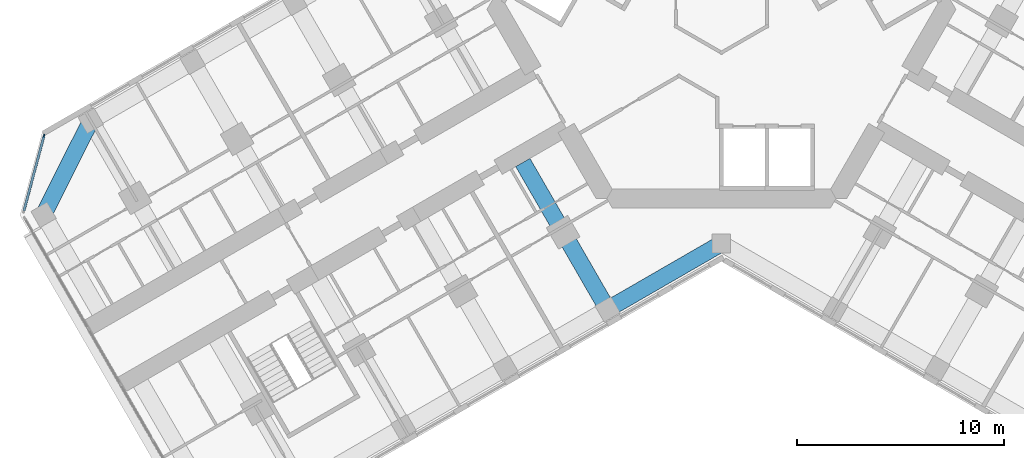
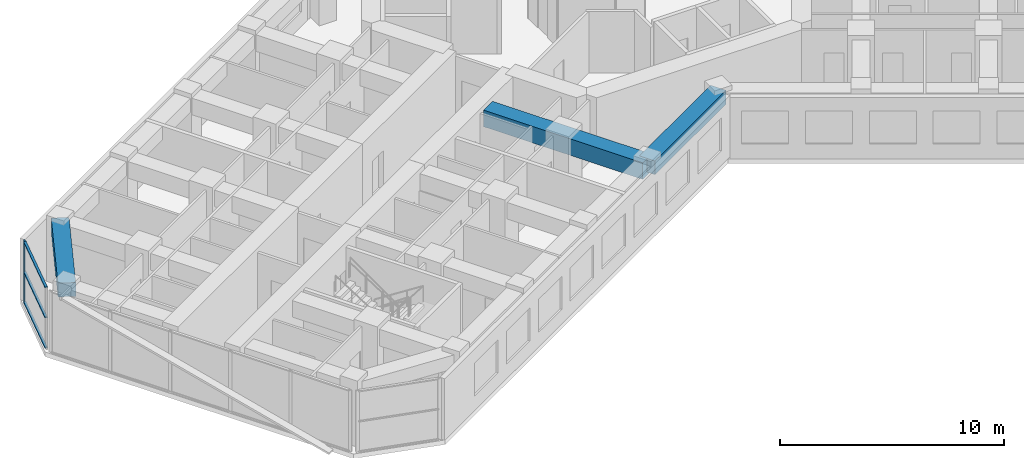
# One storey, part 3 of 20: 4 members, 3 beams, 1 element without a shape of its own.
"""IFC4 building model written with IfcOpenShell, lengths in metres."""

from ifc_helpers import new_model, si_unit, direction, frame, origin, origin_2d, place, context, subcontext, project, spatial, rectangle, extrude, material, material_profile, profile_set, type_object, element, aggregate, save


model = new_model("IFC4")

# Units and contexts
model_context = context("Model", 3, precision=1e-05, world=origin(), true_north=direction((0.0, 1.0)))
body_context = subcontext(model_context, "Body", "Model", "MODEL_VIEW")
ifc_project = project(units=[si_unit("LENGTHUNIT", "METRE"), si_unit("AREAUNIT", "SQUARE_METRE"), si_unit("VOLUMEUNIT", "CUBIC_METRE"), si_unit("PLANEANGLEUNIT", "RADIAN"), si_unit("MASSUNIT", "GRAM", prefix="KILO")], contexts=[model_context])

# Site, building, storey
site_placement = place(None, origin())
site = spatial("IfcSite", under=ifc_project, at=site_placement, CompositionType="ELEMENT")
building_placement = place(site_placement, origin())
building = spatial("IfcBuilding", under=site, at=building_placement, Name="Kosmar Iwan School Tower", CompositionType="ELEMENT")
storey_placement = place(building_placement, frame((0.0, 0.0, 179.60009765625)))
storey = spatial("IfcBuildingStorey", under=building, at=storey_placement, Name="L45", CompositionType="ELEMENT", Elevation=179.60009765625)

# Curtain wall, member
ifc_material_1 = material(Name="Dark glass in black aluminium frame", Category="aluminium")
curtain_wall_type = type_object("IfcCurtainWallType", Name="Chamfer curtain wall dark glass", PredefinedType="USERDEFINED", material=ifc_material_1)
curtain_wall_placement = place(storey_placement, origin())
curtain_wall = element("IfcCurtainWall", 1, at=curtain_wall_placement, inside=storey, type_object=curtain_wall_type, Name="Curtain wall L45-F12", ObjectType="FACETED CURTAIN WALL", PredefinedType="USERDEFINED")
ifc_material_2 = material(Name="Black anodised aluminium", Category="aluminium")
ifc_material_profile_1 = material_profile(ifc_material_2, rectangle(XDim=0.06005859375, YDim=0.159912109375, at=origin_2d()), Name="MULLION 60x160")
ifc_profile_set_1 = profile_set([ifc_material_profile_1], Name="Black anodised aluminium")
member_type_1 = type_object("IfcMemberType", Name="Mullion 60x160", PredefinedType="MULLION", material=ifc_profile_set_1)
member_1_placement = place(storey_placement, frame((-32.78076171875, -6.5732421875, 0.0), z_axis=(0.0, 0.0, 1.0), x_axis=(0.965925875495, -0.258818861462, 0.0)))
member_1 = element("IfcMember", 2, at=member_1_placement, type_object=member_type_1, Name="CW2 mullion 1", PredefinedType="MULLION", context=body_context, shape_type="SweptSolid", body=[
    extrude(rectangle(XDim=0.06005859375, YDim=0.159912109375, at=origin_2d()), origin(), (0.0, 0.0, 1.0), 3.349853515625),
])

# Beams
ifc_material_3 = material(Name="Concrete C50/60", Category="concrete")
ifc_material_profile_2 = material_profile(ifc_material_3, rectangle(XDim=0.800048828125, YDim=0.75, at=origin_2d()), Name="RC 800x750")
ifc_profile_set_2 = profile_set([ifc_material_profile_2], Name="Concrete C50/60")
beam_type_1 = type_object("IfcBeamType", Name="RC edge beam 800x750", PredefinedType="BEAM", material=ifc_profile_set_2)
beam_1_placement = place(storey_placement, frame((0.0, -11.77783203125, 2.974853515625), z_axis=(-0.866014293216, -0.500019243575, 0.0), x_axis=(0.500019243575, -0.866014293216, 0.0)))
element("IfcBeam", 3, at=beam_1_placement, inside=storey, type_object=beam_type_1, Name="Edge beam BL1", PredefinedType="BEAM", context=body_context, shape_type="SweptSolid", body=[
    extrude(rectangle(XDim=0.800048828125, YDim=0.75, at=origin_2d()), origin(), (0.0, 0.0, 1.0), 6.361083984375),
])
ifc_material_4 = material(Name="Concrete C50/60", Category="concrete")
ifc_material_profile_3 = material_profile(ifc_material_4, rectangle(XDim=0.800048828125, YDim=0.75, at=origin_2d()), Name="RC 800x750")
ifc_profile_set_3 = profile_set([ifc_material_profile_3], Name="Concrete C50/60")
beam_type_2 = type_object("IfcBeamType", Name="RC tip beam 800x750", PredefinedType="BEAM", material=ifc_profile_set_3)
beam_2_placement = place(storey_placement, frame((-30.517822265625, -5.841552734375, 2.974853515625), z_axis=(-0.44809604203, -0.893985423325, 0.0), x_axis=(0.893985423325, -0.44809604203, 0.0)))
element("IfcBeam", 4, at=beam_2_placement, inside=storey, type_object=beam_type_2, Name="Tip beam BR", PredefinedType="BEAM", context=body_context, shape_type="SweptSolid", body=[
    extrude(rectangle(XDim=0.800048828125, YDim=0.75, at=origin_2d()), origin(), (0.0, 0.0, 1.0), 5.08935546875),
])
ifc_material_5 = material(Name="Concrete C50/60", Category="concrete")
ifc_material_profile_4 = material_profile(ifc_material_5, rectangle(XDim=0.800048828125, YDim=0.89990234375, at=origin_2d()), Name="RC 800x900")
ifc_profile_set_4 = profile_set([ifc_material_profile_4], Name="Concrete C50/60")
beam_type_3 = type_object("IfcBeamType", Name="RC transverse beam 800x900", PredefinedType="BEAM", material=ifc_profile_set_4)
beam_3_placement = place(storey_placement, frame((-5.5087890625, -14.95849609375, 2.89990234375), z_axis=(-0.500000789788, 0.8660249478, 0.0), x_axis=(-0.8660249478, -0.500000789788, 0.0)))
element("IfcBeam", 5, at=beam_3_placement, inside=storey, type_object=beam_type_3, Name="Transverse beam BL1", PredefinedType="BEAM", context=body_context, shape_type="SweptSolid", body=[
    extrude(rectangle(XDim=0.800048828125, YDim=0.89990234375, at=origin_2d()), origin(), (0.0, 0.0, 1.0), 8.2001953125),
])

# Member
ifc_material_6 = material(Name="Black anodised aluminium", Category="aluminium")
ifc_material_profile_5 = material_profile(ifc_material_6, rectangle(XDim=0.1201171875, YDim=0.06005859375, at=origin_2d()), Name="TRANSOM 60x120")
ifc_profile_set_5 = profile_set([ifc_material_profile_5], Name="Black anodised aluminium")
member_type_2 = type_object("IfcMemberType", Name="Transom 60x120", PredefinedType="USERDEFINED", material=ifc_profile_set_5)
member_2_placement = place(storey_placement, frame((-32.788330078125, -6.602294921875, 0.02978515625), z_axis=(-0.258843273983, -0.965919333854, 0.0), x_axis=(0.965919333854, -0.258843273983, 0.0)))
member_2 = element("IfcMember", 6, at=member_2_placement, type_object=member_type_2, Name="CW2 transom 1.1", ObjectType="TRANSOM", PredefinedType="USERDEFINED", context=body_context, shape_type="SweptSolid", body=[
    extrude(rectangle(XDim=0.1201171875, YDim=0.06005859375, at=origin_2d()), origin(), (0.0, 0.0, 1.0), 3.718994140625),
])

member_3_placement = place(storey_placement, frame((-32.788330078125, -6.602294921875, 1.6748046875), z_axis=(-0.258843273983, -0.965919333854, 0.0), x_axis=(0.965919333854, -0.258843273983, 0.0)))
member_3 = element("IfcMember", 7, at=member_3_placement, type_object=member_type_2, Name="CW2 transom 1.2", ObjectType="TRANSOM", PredefinedType="USERDEFINED", context=body_context, shape_type="SweptSolid", body=[
    extrude(rectangle(XDim=0.1201171875, YDim=0.06005859375, at=origin_2d()), origin(), (0.0, 0.0, 1.0), 3.718994140625),
])

member_4_placement = place(storey_placement, frame((-32.788330078125, -6.602294921875, 3.31982421875), z_axis=(-0.258843273983, -0.965919333854, 0.0), x_axis=(0.965919333854, -0.258843273983, 0.0)))
member_4 = element("IfcMember", 8, at=member_4_placement, type_object=member_type_2, Name="CW2 transom 1.3", ObjectType="TRANSOM", PredefinedType="USERDEFINED", context=body_context, shape_type="SweptSolid", body=[
    extrude(rectangle(XDim=0.1201171875, YDim=0.06005859375, at=origin_2d()), origin(), (0.0, 0.0, 1.0), 3.718994140625),
])

aggregate(curtain_wall, [member_1, member_2, member_3, member_4])

save(model, "model.ifc")
